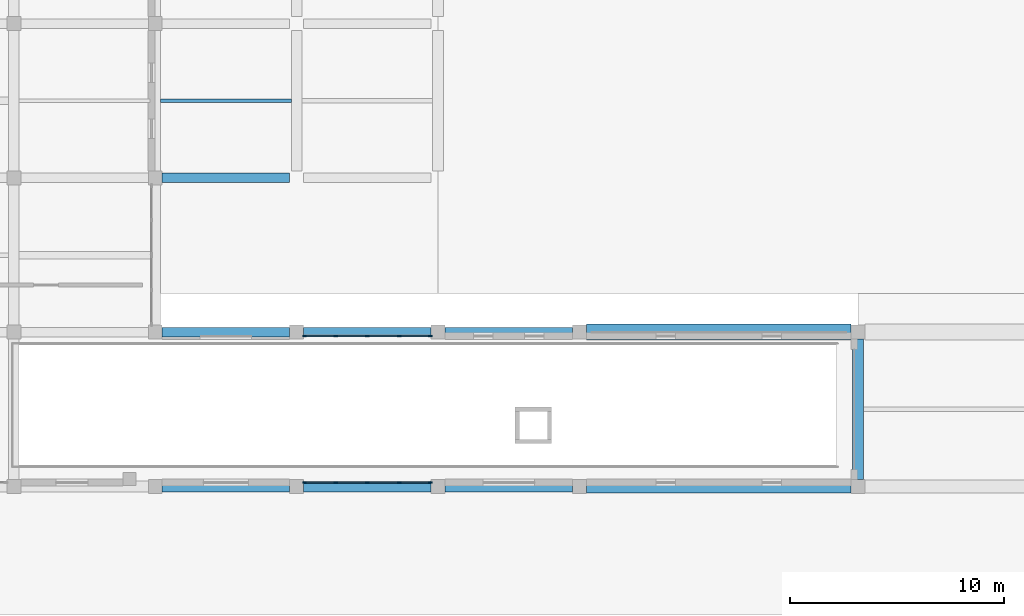
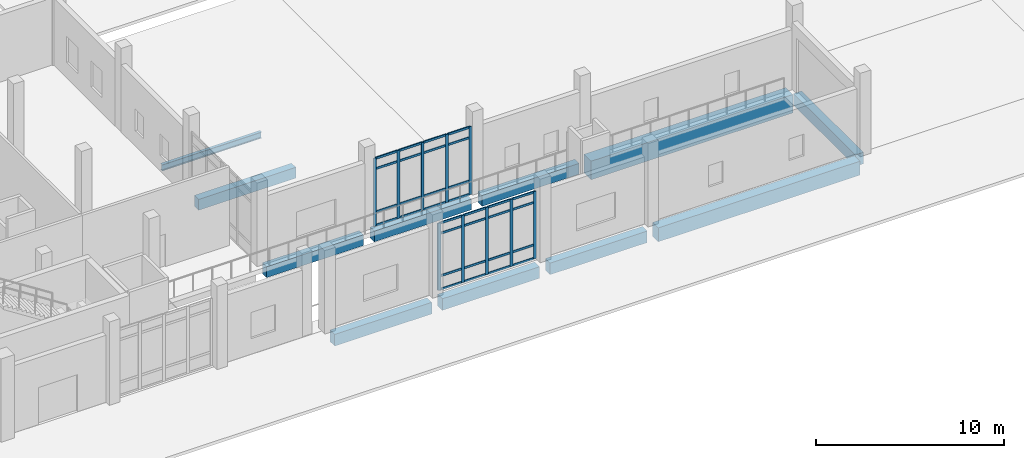
# One storey, part 35 of 79: 42 members, 11 beams, 2 elements without a shape of their own.
"""IFC4 building model written with IfcOpenShell, lengths in metres."""

from ifc_helpers import new_model, si_unit, direction, frame, origin, origin_2d, place, context, subcontext, project, spatial, rectangle, i_section, extrude, material, layer, layer_set, material_profile, profile_set, type_object, element, aggregate, save


model = new_model("IFC4")

# Units and contexts
model_context = context("Model", 3, precision=1e-05, world=origin(), true_north=direction((0.0, 1.0)))
body_context = subcontext(model_context, "Body", "Model", "MODEL_VIEW")
ifc_project = project(units=[si_unit("LENGTHUNIT", "METRE"), si_unit("AREAUNIT", "SQUARE_METRE"), si_unit("VOLUMEUNIT", "CUBIC_METRE"), si_unit("PLANEANGLEUNIT", "RADIAN"), si_unit("MASSUNIT", "GRAM", prefix="KILO")], contexts=[model_context])

# Site, building, storey
site_placement = place(None, origin())
site = spatial("IfcSite", under=ifc_project, at=site_placement, CompositionType="ELEMENT")
building_placement = place(site_placement, origin())
building = spatial("IfcBuilding", under=site, at=building_placement, Name="Kelarvand Opera House", CompositionType="ELEMENT")
storey_placement = place(building_placement, origin())
storey = spatial("IfcBuildingStorey", under=building, at=storey_placement, Name="L00", CompositionType="ELEMENT", Elevation=0.0)

# Curtain wall, members
ifc_material_1 = material(Name="Thermally broken aluminium and low-E glazing", Category="aluminium")
ifc_layer_1 = layer(ifc_material_1, 0.179931640625, Name="Thermally broken aluminium and low-E glazing", Category="aluminium")
ifc_layer_set_1 = layer_set([ifc_layer_1], Name="Thermally broken aluminium and low-E glazing")
curtain_wall_type_1 = type_object("IfcCurtainWallType", Name="Unitised Low-E Curtain Wall 5930x4350 Mod 1350 CWF-51", PredefinedType="USERDEFINED", material=ifc_layer_set_1)
curtain_wall_1_placement = place(storey_placement, origin())
curtain_wall_1 = element("IfcCurtainWall", 1, at=curtain_wall_1_placement, inside=storey, type_object=curtain_wall_type_1, Name="V6 L00 Curtain Wall CWF-51 (197)", ObjectType="UNITISED CURTAIN WALL", PredefinedType="USERDEFINED")
ifc_material_2 = material(Name="Thermally broken anodised aluminium", Category="aluminium")
ifc_material_profile_1 = material_profile(ifc_material_2, rectangle(XDim=0.06494140625, YDim=0.179931640625, at=origin_2d()), Name="ALU MULLION 65x180", Category="aluminium")
ifc_profile_set_1 = profile_set([ifc_material_profile_1], Name="Thermally broken anodised aluminium")
member_type_1 = type_object("IfcMemberType", Name="Curtain Wall Mullion 65x180 Aluminium", PredefinedType="MULLION", material=ifc_profile_set_1)
member_1_placement = place(storey_placement, frame((148.032470703125, 9.179931640625, 0.0), z_axis=(0.0, 0.0, 1.0), x_axis=(0.0, -1.0, 0.0)))
member_1 = element("IfcMember", 2, at=member_1_placement, type_object=member_type_1, Name="CWF-51 mullion 1", PredefinedType="MULLION", context=body_context, shape_type="SweptSolid", body=[
    extrude(rectangle(XDim=0.06494140625, YDim=0.179931640625, at=origin_2d()), origin(), (0.0, 0.0, 1.0), 4.35009765625),
])
member_2_placement = place(storey_placement, frame((146.58251953125, 9.179931640625, 0.0), z_axis=(0.0, 0.0, 1.0), x_axis=(0.0, -1.0, 0.0)))
member_2 = element("IfcMember", 3, at=member_2_placement, type_object=member_type_1, Name="CWF-51 mullion 2", PredefinedType="MULLION", context=body_context, shape_type="SweptSolid", body=[
    extrude(rectangle(XDim=0.06494140625, YDim=0.179931640625, at=origin_2d()), origin(), (0.0, 0.0, 1.0), 4.35009765625),
])
member_3_placement = place(storey_placement, frame((145.10009765625, 9.179931640625, 0.0), z_axis=(0.0, 0.0, 1.0), x_axis=(0.0, -1.0, 0.0)))
member_3 = element("IfcMember", 4, at=member_3_placement, type_object=member_type_1, Name="CWF-51 mullion 3", PredefinedType="MULLION", context=body_context, shape_type="SweptSolid", body=[
    extrude(rectangle(XDim=0.06494140625, YDim=0.179931640625, at=origin_2d()), origin(), (0.0, 0.0, 1.0), 4.35009765625),
])
member_4_placement = place(storey_placement, frame((143.617431640625, 9.179931640625, 0.0), z_axis=(0.0, 0.0, 1.0), x_axis=(0.0, -1.0, 0.0)))
member_4 = element("IfcMember", 5, at=member_4_placement, type_object=member_type_1, Name="CWF-51 mullion 4", PredefinedType="MULLION", context=body_context, shape_type="SweptSolid", body=[
    extrude(rectangle(XDim=0.06494140625, YDim=0.179931640625, at=origin_2d()), origin(), (0.0, 0.0, 1.0), 4.35009765625),
])
member_5_placement = place(storey_placement, frame((142.16748046875, 9.179931640625, 0.0), z_axis=(0.0, 0.0, 1.0), x_axis=(0.0, -1.0, 0.0)))
member_5 = element("IfcMember", 6, at=member_5_placement, type_object=member_type_1, Name="CWF-51 mullion 5", PredefinedType="MULLION", context=body_context, shape_type="SweptSolid", body=[
    extrude(rectangle(XDim=0.06494140625, YDim=0.179931640625, at=origin_2d()), origin(), (0.0, 0.0, 1.0), 4.35009765625),
])

ifc_layer_2 = layer(ifc_material_1, 0.179931640625, Name="Thermally broken aluminium and low-E glazing", Category="aluminium")
ifc_layer_set_2 = layer_set([ifc_layer_2], Name="Thermally broken aluminium and low-E glazing")
curtain_wall_type_2 = type_object("IfcCurtainWallType", Name="Unitised Low-E Curtain Wall 5930x4400 Mod 1350 CWF-54", PredefinedType="USERDEFINED", material=ifc_layer_set_2)
curtain_wall_2_placement = place(storey_placement, origin())
curtain_wall_2 = element("IfcCurtainWall", 7, at=curtain_wall_2_placement, inside=storey, type_object=curtain_wall_type_2, Name="V6 L00 Curtain Wall CWF-54 (204)", ObjectType="UNITISED CURTAIN WALL", PredefinedType="USERDEFINED")
member_6_placement = place(storey_placement, frame((142.16748046875, 16.02001953125, 0.0), z_axis=(0.0, 0.0, 1.0), x_axis=(0.0, 1.0, 0.0)))
member_6 = element("IfcMember", 8, at=member_6_placement, type_object=member_type_1, Name="CWF-54 mullion 1", PredefinedType="MULLION", context=body_context, shape_type="SweptSolid", body=[
    extrude(rectangle(XDim=0.06494140625, YDim=0.179931640625, at=origin_2d()), origin(), (0.0, 0.0, 1.0), 4.39990234375),
])
member_7_placement = place(storey_placement, frame((143.617431640625, 16.02001953125, 0.0), z_axis=(0.0, 0.0, 1.0), x_axis=(0.0, 1.0, 0.0)))
member_7 = element("IfcMember", 9, at=member_7_placement, type_object=member_type_1, Name="CWF-54 mullion 2", PredefinedType="MULLION", context=body_context, shape_type="SweptSolid", body=[
    extrude(rectangle(XDim=0.06494140625, YDim=0.179931640625, at=origin_2d()), origin(), (0.0, 0.0, 1.0), 4.39990234375),
])
member_8_placement = place(storey_placement, frame((145.10009765625, 16.02001953125, 0.0), z_axis=(0.0, 0.0, 1.0), x_axis=(0.0, 1.0, 0.0)))
member_8 = element("IfcMember", 10, at=member_8_placement, type_object=member_type_1, Name="CWF-54 mullion 3", PredefinedType="MULLION", context=body_context, shape_type="SweptSolid", body=[
    extrude(rectangle(XDim=0.06494140625, YDim=0.179931640625, at=origin_2d()), origin(), (0.0, 0.0, 1.0), 4.39990234375),
])
member_9_placement = place(storey_placement, frame((146.58251953125, 16.02001953125, 0.0), z_axis=(0.0, 0.0, 1.0), x_axis=(0.0, 1.0, 0.0)))
member_9 = element("IfcMember", 11, at=member_9_placement, type_object=member_type_1, Name="CWF-54 mullion 4", PredefinedType="MULLION", context=body_context, shape_type="SweptSolid", body=[
    extrude(rectangle(XDim=0.06494140625, YDim=0.179931640625, at=origin_2d()), origin(), (0.0, 0.0, 1.0), 4.39990234375),
])
member_10_placement = place(storey_placement, frame((148.032470703125, 16.02001953125, 0.0), z_axis=(0.0, 0.0, 1.0), x_axis=(0.0, 1.0, 0.0)))
member_10 = element("IfcMember", 12, at=member_10_placement, type_object=member_type_1, Name="CWF-54 mullion 5", PredefinedType="MULLION", context=body_context, shape_type="SweptSolid", body=[
    extrude(rectangle(XDim=0.06494140625, YDim=0.179931640625, at=origin_2d()), origin(), (0.0, 0.0, 1.0), 4.39990234375),
])

# Member
ifc_material_profile_2 = material_profile(ifc_material_2, rectangle(XDim=0.06494140625, YDim=0.139892578125, at=origin_2d()), Name="ALU TRANSOM 65x140", Category="aluminium")
ifc_profile_set_2 = profile_set([ifc_material_profile_2], Name="Thermally broken anodised aluminium")
member_type_2 = type_object("IfcMemberType", Name="Curtain Wall Transom 65x140 Aluminium", PredefinedType="USERDEFINED", material=ifc_profile_set_2)
member_11_placement = place(storey_placement, frame((148.0, 9.179931640625, 0.032470703125), z_axis=(-1.0, 0.0, 0.0), x_axis=(0.0, -1.0, 0.0)))
member_11 = element("IfcMember", 13, at=member_11_placement, type_object=member_type_2, Name="CWF-51 transom 1.1", ObjectType="TRANSOM", PredefinedType="USERDEFINED", context=body_context, shape_type="SweptSolid", body=[
    extrude(rectangle(XDim=0.06494140625, YDim=0.139892578125, at=origin_2d()), origin(), (0.0, 0.0, 1.0), 1.385009765625),
])

member_12_placement = place(storey_placement, frame((148.0, 9.179931640625, 0.89990234375), z_axis=(-1.0, 0.0, 0.0), x_axis=(0.0, -1.0, 0.0)))
member_12 = element("IfcMember", 14, at=member_12_placement, type_object=member_type_2, Name="CWF-51 transom 1.2", ObjectType="TRANSOM", PredefinedType="USERDEFINED", context=body_context, shape_type="SweptSolid", body=[
    extrude(rectangle(XDim=0.06494140625, YDim=0.139892578125, at=origin_2d()), origin(), (0.0, 0.0, 1.0), 1.385009765625),
])

member_13_placement = place(storey_placement, frame((148.0, 9.179931640625, 3.64990234375), z_axis=(-1.0, 0.0, 0.0), x_axis=(0.0, -1.0, 0.0)))
member_13 = element("IfcMember", 15, at=member_13_placement, type_object=member_type_2, Name="CWF-51 transom 1.3", ObjectType="TRANSOM", PredefinedType="USERDEFINED", context=body_context, shape_type="SweptSolid", body=[
    extrude(rectangle(XDim=0.06494140625, YDim=0.139892578125, at=origin_2d()), origin(), (0.0, 0.0, 1.0), 1.385009765625),
])

member_14_placement = place(storey_placement, frame((148.0, 9.179931640625, 4.3173828125), z_axis=(-1.0, 0.0, 0.0), x_axis=(0.0, -1.0, 0.0)))
member_14 = element("IfcMember", 16, at=member_14_placement, type_object=member_type_2, Name="CWF-51 transom 1.4", ObjectType="TRANSOM", PredefinedType="USERDEFINED", context=body_context, shape_type="SweptSolid", body=[
    extrude(rectangle(XDim=0.06494140625, YDim=0.139892578125, at=origin_2d()), origin(), (0.0, 0.0, 1.0), 1.385009765625),
])

member_15_placement = place(storey_placement, frame((146.550048828125, 9.179931640625, 0.032470703125), z_axis=(-1.0, 0.0, 0.0), x_axis=(0.0, -1.0, 0.0)))
member_15 = element("IfcMember", 17, at=member_15_placement, type_object=member_type_2, Name="CWF-51 transom 2.1", ObjectType="TRANSOM", PredefinedType="USERDEFINED", context=body_context, shape_type="SweptSolid", body=[
    extrude(rectangle(XDim=0.06494140625, YDim=0.139892578125, at=origin_2d()), origin(), (0.0, 0.0, 1.0), 1.41748046875),
])

member_16_placement = place(storey_placement, frame((146.550048828125, 9.179931640625, 0.89990234375), z_axis=(-1.0, 0.0, 0.0), x_axis=(0.0, -1.0, 0.0)))
member_16 = element("IfcMember", 18, at=member_16_placement, type_object=member_type_2, Name="CWF-51 transom 2.2", ObjectType="TRANSOM", PredefinedType="USERDEFINED", context=body_context, shape_type="SweptSolid", body=[
    extrude(rectangle(XDim=0.06494140625, YDim=0.139892578125, at=origin_2d()), origin(), (0.0, 0.0, 1.0), 1.41748046875),
])

member_17_placement = place(storey_placement, frame((146.550048828125, 9.179931640625, 3.64990234375), z_axis=(-1.0, 0.0, 0.0), x_axis=(0.0, -1.0, 0.0)))
member_17 = element("IfcMember", 19, at=member_17_placement, type_object=member_type_2, Name="CWF-51 transom 2.3", ObjectType="TRANSOM", PredefinedType="USERDEFINED", context=body_context, shape_type="SweptSolid", body=[
    extrude(rectangle(XDim=0.06494140625, YDim=0.139892578125, at=origin_2d()), origin(), (0.0, 0.0, 1.0), 1.41748046875),
])

member_18_placement = place(storey_placement, frame((146.550048828125, 9.179931640625, 4.3173828125), z_axis=(-1.0, 0.0, 0.0), x_axis=(0.0, -1.0, 0.0)))
member_18 = element("IfcMember", 20, at=member_18_placement, type_object=member_type_2, Name="CWF-51 transom 2.4", ObjectType="TRANSOM", PredefinedType="USERDEFINED", context=body_context, shape_type="SweptSolid", body=[
    extrude(rectangle(XDim=0.06494140625, YDim=0.139892578125, at=origin_2d()), origin(), (0.0, 0.0, 1.0), 1.41748046875),
])

member_19_placement = place(storey_placement, frame((145.0673828125, 9.179931640625, 0.032470703125), z_axis=(-1.0, 0.0, 0.0), x_axis=(0.0, -1.0, 0.0)))
member_19 = element("IfcMember", 21, at=member_19_placement, type_object=member_type_2, Name="CWF-51 transom 3.1", ObjectType="TRANSOM", PredefinedType="USERDEFINED", context=body_context, shape_type="SweptSolid", body=[
    extrude(rectangle(XDim=0.06494140625, YDim=0.139892578125, at=origin_2d()), origin(), (0.0, 0.0, 1.0), 1.41748046875),
])

member_20_placement = place(storey_placement, frame((145.0673828125, 9.179931640625, 0.89990234375), z_axis=(-1.0, 0.0, 0.0), x_axis=(0.0, -1.0, 0.0)))
member_20 = element("IfcMember", 22, at=member_20_placement, type_object=member_type_2, Name="CWF-51 transom 3.2", ObjectType="TRANSOM", PredefinedType="USERDEFINED", context=body_context, shape_type="SweptSolid", body=[
    extrude(rectangle(XDim=0.06494140625, YDim=0.139892578125, at=origin_2d()), origin(), (0.0, 0.0, 1.0), 1.41748046875),
])

member_21_placement = place(storey_placement, frame((145.0673828125, 9.179931640625, 3.64990234375), z_axis=(-1.0, 0.0, 0.0), x_axis=(0.0, -1.0, 0.0)))
member_21 = element("IfcMember", 23, at=member_21_placement, type_object=member_type_2, Name="CWF-51 transom 3.3", ObjectType="TRANSOM", PredefinedType="USERDEFINED", context=body_context, shape_type="SweptSolid", body=[
    extrude(rectangle(XDim=0.06494140625, YDim=0.139892578125, at=origin_2d()), origin(), (0.0, 0.0, 1.0), 1.41748046875),
])

member_22_placement = place(storey_placement, frame((145.0673828125, 9.179931640625, 4.3173828125), z_axis=(-1.0, 0.0, 0.0), x_axis=(0.0, -1.0, 0.0)))
member_22 = element("IfcMember", 24, at=member_22_placement, type_object=member_type_2, Name="CWF-51 transom 3.4", ObjectType="TRANSOM", PredefinedType="USERDEFINED", context=body_context, shape_type="SweptSolid", body=[
    extrude(rectangle(XDim=0.06494140625, YDim=0.139892578125, at=origin_2d()), origin(), (0.0, 0.0, 1.0), 1.41748046875),
])

member_23_placement = place(storey_placement, frame((143.5849609375, 9.179931640625, 0.032470703125), z_axis=(-1.0, 0.0, 0.0), x_axis=(0.0, -1.0, 0.0)))
member_23 = element("IfcMember", 25, at=member_23_placement, type_object=member_type_2, Name="CWF-51 transom 4.1", ObjectType="TRANSOM", PredefinedType="USERDEFINED", context=body_context, shape_type="SweptSolid", body=[
    extrude(rectangle(XDim=0.06494140625, YDim=0.139892578125, at=origin_2d()), origin(), (0.0, 0.0, 1.0), 1.385009765625),
])

member_24_placement = place(storey_placement, frame((143.5849609375, 9.179931640625, 0.89990234375), z_axis=(-1.0, 0.0, 0.0), x_axis=(0.0, -1.0, 0.0)))
member_24 = element("IfcMember", 26, at=member_24_placement, type_object=member_type_2, Name="CWF-51 transom 4.2", ObjectType="TRANSOM", PredefinedType="USERDEFINED", context=body_context, shape_type="SweptSolid", body=[
    extrude(rectangle(XDim=0.06494140625, YDim=0.139892578125, at=origin_2d()), origin(), (0.0, 0.0, 1.0), 1.385009765625),
])

member_25_placement = place(storey_placement, frame((143.5849609375, 9.179931640625, 3.64990234375), z_axis=(-1.0, 0.0, 0.0), x_axis=(0.0, -1.0, 0.0)))
member_25 = element("IfcMember", 27, at=member_25_placement, type_object=member_type_2, Name="CWF-51 transom 4.3", ObjectType="TRANSOM", PredefinedType="USERDEFINED", context=body_context, shape_type="SweptSolid", body=[
    extrude(rectangle(XDim=0.06494140625, YDim=0.139892578125, at=origin_2d()), origin(), (0.0, 0.0, 1.0), 1.385009765625),
])

member_26_placement = place(storey_placement, frame((143.5849609375, 9.179931640625, 4.3173828125), z_axis=(-1.0, 0.0, 0.0), x_axis=(0.0, -1.0, 0.0)))
member_26 = element("IfcMember", 28, at=member_26_placement, type_object=member_type_2, Name="CWF-51 transom 4.4", ObjectType="TRANSOM", PredefinedType="USERDEFINED", context=body_context, shape_type="SweptSolid", body=[
    extrude(rectangle(XDim=0.06494140625, YDim=0.139892578125, at=origin_2d()), origin(), (0.0, 0.0, 1.0), 1.385009765625),
])

aggregate(curtain_wall_1, [member_1, member_2, member_3, member_4, member_5, member_11, member_12, member_13, member_14, member_15, member_16, member_17, member_18, member_19, member_20, member_21, member_22, member_23, member_24, member_25, member_26])

member_27_placement = place(storey_placement, frame((142.199951171875, 16.02001953125, 0.032470703125), z_axis=(1.0, 0.0, 0.0), x_axis=(0.0, 1.0, 0.0)))
member_27 = element("IfcMember", 29, at=member_27_placement, type_object=member_type_2, Name="CWF-54 transom 1.1", ObjectType="TRANSOM", PredefinedType="USERDEFINED", context=body_context, shape_type="SweptSolid", body=[
    extrude(rectangle(XDim=0.06494140625, YDim=0.139892578125, at=origin_2d()), origin(), (0.0, 0.0, 1.0), 1.385009765625),
])

member_28_placement = place(storey_placement, frame((142.199951171875, 16.02001953125, 0.89990234375), z_axis=(1.0, 0.0, 0.0), x_axis=(0.0, 1.0, 0.0)))
member_28 = element("IfcMember", 30, at=member_28_placement, type_object=member_type_2, Name="CWF-54 transom 1.2", ObjectType="TRANSOM", PredefinedType="USERDEFINED", context=body_context, shape_type="SweptSolid", body=[
    extrude(rectangle(XDim=0.06494140625, YDim=0.139892578125, at=origin_2d()), origin(), (0.0, 0.0, 1.0), 1.385009765625),
])

member_29_placement = place(storey_placement, frame((142.199951171875, 16.02001953125, 3.699951171875), z_axis=(1.0, 0.0, 0.0), x_axis=(0.0, 1.0, 0.0)))
member_29 = element("IfcMember", 31, at=member_29_placement, type_object=member_type_2, Name="CWF-54 transom 1.3", ObjectType="TRANSOM", PredefinedType="USERDEFINED", context=body_context, shape_type="SweptSolid", body=[
    extrude(rectangle(XDim=0.06494140625, YDim=0.139892578125, at=origin_2d()), origin(), (0.0, 0.0, 1.0), 1.385009765625),
])

member_30_placement = place(storey_placement, frame((142.199951171875, 16.02001953125, 4.367431640625), z_axis=(1.0, 0.0, 0.0), x_axis=(0.0, 1.0, 0.0)))
member_30 = element("IfcMember", 32, at=member_30_placement, type_object=member_type_2, Name="CWF-54 transom 1.4", ObjectType="TRANSOM", PredefinedType="USERDEFINED", context=body_context, shape_type="SweptSolid", body=[
    extrude(rectangle(XDim=0.06494140625, YDim=0.139892578125, at=origin_2d()), origin(), (0.0, 0.0, 1.0), 1.385009765625),
])

member_31_placement = place(storey_placement, frame((143.64990234375, 16.02001953125, 0.032470703125), z_axis=(1.0, 0.0, 0.0), x_axis=(0.0, 1.0, 0.0)))
member_31 = element("IfcMember", 33, at=member_31_placement, type_object=member_type_2, Name="CWF-54 transom 2.1", ObjectType="TRANSOM", PredefinedType="USERDEFINED", context=body_context, shape_type="SweptSolid", body=[
    extrude(rectangle(XDim=0.06494140625, YDim=0.139892578125, at=origin_2d()), origin(), (0.0, 0.0, 1.0), 1.41748046875),
])

member_32_placement = place(storey_placement, frame((143.64990234375, 16.02001953125, 0.89990234375), z_axis=(1.0, 0.0, 0.0), x_axis=(0.0, 1.0, 0.0)))
member_32 = element("IfcMember", 34, at=member_32_placement, type_object=member_type_2, Name="CWF-54 transom 2.2", ObjectType="TRANSOM", PredefinedType="USERDEFINED", context=body_context, shape_type="SweptSolid", body=[
    extrude(rectangle(XDim=0.06494140625, YDim=0.139892578125, at=origin_2d()), origin(), (0.0, 0.0, 1.0), 1.41748046875),
])

member_33_placement = place(storey_placement, frame((143.64990234375, 16.02001953125, 3.699951171875), z_axis=(1.0, 0.0, 0.0), x_axis=(0.0, 1.0, 0.0)))
member_33 = element("IfcMember", 35, at=member_33_placement, type_object=member_type_2, Name="CWF-54 transom 2.3", ObjectType="TRANSOM", PredefinedType="USERDEFINED", context=body_context, shape_type="SweptSolid", body=[
    extrude(rectangle(XDim=0.06494140625, YDim=0.139892578125, at=origin_2d()), origin(), (0.0, 0.0, 1.0), 1.41748046875),
])

member_34_placement = place(storey_placement, frame((143.64990234375, 16.02001953125, 4.367431640625), z_axis=(1.0, 0.0, 0.0), x_axis=(0.0, 1.0, 0.0)))
member_34 = element("IfcMember", 36, at=member_34_placement, type_object=member_type_2, Name="CWF-54 transom 2.4", ObjectType="TRANSOM", PredefinedType="USERDEFINED", context=body_context, shape_type="SweptSolid", body=[
    extrude(rectangle(XDim=0.06494140625, YDim=0.139892578125, at=origin_2d()), origin(), (0.0, 0.0, 1.0), 1.41748046875),
])

member_35_placement = place(storey_placement, frame((145.132568359375, 16.02001953125, 0.032470703125), z_axis=(1.0, 0.0, 0.0), x_axis=(0.0, 1.0, 0.0)))
member_35 = element("IfcMember", 37, at=member_35_placement, type_object=member_type_2, Name="CWF-54 transom 3.1", ObjectType="TRANSOM", PredefinedType="USERDEFINED", context=body_context, shape_type="SweptSolid", body=[
    extrude(rectangle(XDim=0.06494140625, YDim=0.139892578125, at=origin_2d()), origin(), (0.0, 0.0, 1.0), 1.41748046875),
])

member_36_placement = place(storey_placement, frame((145.132568359375, 16.02001953125, 0.89990234375), z_axis=(1.0, 0.0, 0.0), x_axis=(0.0, 1.0, 0.0)))
member_36 = element("IfcMember", 38, at=member_36_placement, type_object=member_type_2, Name="CWF-54 transom 3.2", ObjectType="TRANSOM", PredefinedType="USERDEFINED", context=body_context, shape_type="SweptSolid", body=[
    extrude(rectangle(XDim=0.06494140625, YDim=0.139892578125, at=origin_2d()), origin(), (0.0, 0.0, 1.0), 1.41748046875),
])

member_37_placement = place(storey_placement, frame((145.132568359375, 16.02001953125, 3.699951171875), z_axis=(1.0, 0.0, 0.0), x_axis=(0.0, 1.0, 0.0)))
member_37 = element("IfcMember", 39, at=member_37_placement, type_object=member_type_2, Name="CWF-54 transom 3.3", ObjectType="TRANSOM", PredefinedType="USERDEFINED", context=body_context, shape_type="SweptSolid", body=[
    extrude(rectangle(XDim=0.06494140625, YDim=0.139892578125, at=origin_2d()), origin(), (0.0, 0.0, 1.0), 1.41748046875),
])

member_38_placement = place(storey_placement, frame((145.132568359375, 16.02001953125, 4.367431640625), z_axis=(1.0, 0.0, 0.0), x_axis=(0.0, 1.0, 0.0)))
member_38 = element("IfcMember", 40, at=member_38_placement, type_object=member_type_2, Name="CWF-54 transom 3.4", ObjectType="TRANSOM", PredefinedType="USERDEFINED", context=body_context, shape_type="SweptSolid", body=[
    extrude(rectangle(XDim=0.06494140625, YDim=0.139892578125, at=origin_2d()), origin(), (0.0, 0.0, 1.0), 1.41748046875),
])

member_39_placement = place(storey_placement, frame((146.614990234375, 16.02001953125, 0.032470703125), z_axis=(1.0, 0.0, 0.0), x_axis=(0.0, 1.0, 0.0)))
member_39 = element("IfcMember", 41, at=member_39_placement, type_object=member_type_2, Name="CWF-54 transom 4.1", ObjectType="TRANSOM", PredefinedType="USERDEFINED", context=body_context, shape_type="SweptSolid", body=[
    extrude(rectangle(XDim=0.06494140625, YDim=0.139892578125, at=origin_2d()), origin(), (0.0, 0.0, 1.0), 1.385009765625),
])

member_40_placement = place(storey_placement, frame((146.614990234375, 16.02001953125, 0.89990234375), z_axis=(1.0, 0.0, 0.0), x_axis=(0.0, 1.0, 0.0)))
member_40 = element("IfcMember", 42, at=member_40_placement, type_object=member_type_2, Name="CWF-54 transom 4.2", ObjectType="TRANSOM", PredefinedType="USERDEFINED", context=body_context, shape_type="SweptSolid", body=[
    extrude(rectangle(XDim=0.06494140625, YDim=0.139892578125, at=origin_2d()), origin(), (0.0, 0.0, 1.0), 1.385009765625),
])

member_41_placement = place(storey_placement, frame((146.614990234375, 16.02001953125, 3.699951171875), z_axis=(1.0, 0.0, 0.0), x_axis=(0.0, 1.0, 0.0)))
member_41 = element("IfcMember", 43, at=member_41_placement, type_object=member_type_2, Name="CWF-54 transom 4.3", ObjectType="TRANSOM", PredefinedType="USERDEFINED", context=body_context, shape_type="SweptSolid", body=[
    extrude(rectangle(XDim=0.06494140625, YDim=0.139892578125, at=origin_2d()), origin(), (0.0, 0.0, 1.0), 1.385009765625),
])

member_42_placement = place(storey_placement, frame((146.614990234375, 16.02001953125, 4.367431640625), z_axis=(1.0, 0.0, 0.0), x_axis=(0.0, 1.0, 0.0)))
member_42 = element("IfcMember", 44, at=member_42_placement, type_object=member_type_2, Name="CWF-54 transom 4.4", ObjectType="TRANSOM", PredefinedType="USERDEFINED", context=body_context, shape_type="SweptSolid", body=[
    extrude(rectangle(XDim=0.06494140625, YDim=0.139892578125, at=origin_2d()), origin(), (0.0, 0.0, 1.0), 1.385009765625),
])

aggregate(curtain_wall_2, [member_6, member_7, member_8, member_9, member_10, member_27, member_28, member_29, member_30, member_31, member_32, member_33, member_34, member_35, member_36, member_37, member_38, member_39, member_40, member_41, member_42])

# Beams
ifc_material_3 = material(Name="Concrete C40/50", Category="concrete")
ifc_material_profile_3 = material_profile(ifc_material_3, rectangle(XDim=0.449951171875, YDim=0.699951171875, at=origin_2d()), Name="RC 450x700", Category="concrete")
ifc_profile_set_3 = profile_set([ifc_material_profile_3], Name="Concrete C40/50")
beam_type_1 = type_object("IfcBeamType", Name="Structural Beam RC 450x700 BM-RC450x700", PredefinedType="BEAM", material=ifc_profile_set_3)
beam_1_placement = place(storey_placement, frame((135.52490234375, 16.199951171875, -0.64990234375), z_axis=(1.0, 0.0, 0.0), x_axis=(0.0, 1.0, 0.0)))
element("IfcBeam", 45, at=beam_1_placement, inside=storey, type_object=beam_type_1, Name="V6 L00 Beam BM-RC450x700", PredefinedType="BEAM", context=body_context, shape_type="SweptSolid", body=[
    extrude(rectangle(XDim=0.449951171875, YDim=0.699951171875, at=origin_2d()), origin(), (0.0, 0.0, 1.0), 5.9501953125),
])
for number, where, z_axis, x_axis, name in (
    (46, (142.125, 16.199951171875, -0.64990234375), (1.0, 0.0, 0.0), (0.0, 1.0, 0.0), "V6 L00 Beam BM-RC450x700"),
    (47, (148.72509765625, 16.199951171875, -0.64990234375), (1.0, 0.0, 0.0), (0.0, 1.0, 0.0), "V6 L00 Beam BM-RC450x700"),
):
    element("IfcBeam", number, at=place(storey_placement, frame(where, z_axis=z_axis, x_axis=x_axis)), inside=storey, type_object=beam_type_1, Name=name, PredefinedType="BEAM", context=body_context, shape_type="SweptSolid", body=[
        extrude(rectangle(XDim=0.449951171875, YDim=0.699951171875, at=origin_2d()), origin(), (0.0, 0.0, 1.0), 5.949951171875),
    ])
beam_2_placement = place(storey_placement, frame((135.52490234375, 23.39990234375, -0.64990234375), z_axis=(1.0, 0.0, 0.0), x_axis=(0.0, 1.0, 0.0)))
element("IfcBeam", 48, at=beam_2_placement, inside=storey, type_object=beam_type_1, Name="V6 L00 Beam BM-RC450x700", PredefinedType="BEAM", context=body_context, shape_type="SweptSolid", body=[
    extrude(rectangle(XDim=0.449951171875, YDim=0.699951171875, at=origin_2d()), origin(), (0.0, 0.0, 1.0), 5.9501953125),
])
ifc_material_profile_4 = material_profile(ifc_material_3, rectangle(XDim=0.5, YDim=0.75, at=origin_2d()), Name="RC 500x750", Category="concrete")
ifc_profile_set_4 = profile_set([ifc_material_profile_4], Name="Concrete C40/50")
beam_type_2 = type_object("IfcBeamType", Name="Structural Beam RC 500x750 BM-RC500x750", PredefinedType="BEAM", material=ifc_profile_set_4)
beam_3_placement = place(storey_placement, frame((168.0, 9.324951171875, -0.675048828125), z_axis=(0.0, 1.0, 0.0), x_axis=(-1.0, 0.0, 0.0)))
element("IfcBeam", 49, at=beam_3_placement, inside=storey, type_object=beam_type_2, Name="V6 L00 Beam BM-RC500x750", PredefinedType="BEAM", context=body_context, shape_type="SweptSolid", body=[
    extrude(rectangle(XDim=0.5, YDim=0.75, at=origin_2d()), origin(), (0.0, 0.0, 1.0), 6.550048828125),
])
ifc_material_profile_5 = material_profile(ifc_material_3, rectangle(XDim=0.75, YDim=1.199951171875, at=origin_2d()), Name="RC 750x1200", Category="concrete")
ifc_profile_set_5 = profile_set([ifc_material_profile_5], Name="Concrete C40/50")
beam_type_3 = type_object("IfcBeamType", Name="Structural Beam RC 750x1200 BM-RC750x1200", PredefinedType="BEAM", material=ifc_profile_set_5)
beam_4_placement = place(storey_placement, frame((155.324951171875, 16.199951171875, -0.89990234375), z_axis=(1.0, 0.0, 0.0), x_axis=(0.0, 1.0, 0.0)))
element("IfcBeam", 50, at=beam_4_placement, inside=storey, type_object=beam_type_3, Name="V6 L00 Beam BM-RC750x1200", PredefinedType="BEAM", context=body_context, shape_type="SweptSolid", body=[
    extrude(rectangle(XDim=0.75, YDim=1.199951171875, at=origin_2d()), origin(), (0.0, 0.0, 1.0), 12.35009765625),
])
ifc_material_4 = material(Name="Steel S355", Category="steel")
ifc_material_profile_6 = material_profile(ifc_material_4, i_section(OverallWidth=0.179931640625, OverallDepth=0.39990234375, WebThickness=0.008544921875, FlangeThickness=0.013427734375, at=origin_2d()), Name="IPE 400", Category="steel")
ifc_profile_set_6 = profile_set([ifc_material_profile_6], Name="Steel S355")
beam_type_4 = type_object("IfcBeamType", Name="Structural Joist IPE 400 JS-IPE400", PredefinedType="JOIST", material=ifc_profile_set_6)
beam_5_placement = place(storey_placement, frame((135.449951171875, 27.0, -0.5), z_axis=(1.0, 0.0, 0.0), x_axis=(0.0, 1.0, 0.0)))
element("IfcBeam", 51, at=beam_5_placement, inside=storey, type_object=beam_type_4, Name="V6 L00 Beam JS-IPE400", PredefinedType="JOIST", context=body_context, shape_type="SweptSolid", body=[
    extrude(i_section(OverallWidth=0.179931640625, OverallDepth=0.39990234375, WebThickness=0.008544921875, FlangeThickness=0.013427734375, at=origin_2d()), origin(), (0.0, 0.0, 1.0), 6.10009765625),
])
ifc_material_profile_7 = material_profile(ifc_material_3, rectangle(XDim=0.5, YDim=0.75, at=origin_2d()), Name="RC 500x750", Category="concrete")
ifc_profile_set_7 = profile_set([ifc_material_profile_7], Name="Concrete C40/50")
beam_type_5 = type_object("IfcBeamType", Name="Structural Spandrel RC 500x750 SP-RC500x750E", PredefinedType="SPANDREL", material=ifc_profile_set_7)
beam_6_placement = place(storey_placement, frame((135.52490234375, 9.0, -0.675048828125), z_axis=(1.0, 0.0, 0.0), x_axis=(0.0, 1.0, 0.0)))
element("IfcBeam", 52, at=beam_6_placement, inside=storey, type_object=beam_type_5, Name="V6 L00 Beam SP-RC500x750E", PredefinedType="SPANDREL", context=body_context, shape_type="SweptSolid", body=[
    extrude(rectangle(XDim=0.5, YDim=0.75, at=origin_2d()), origin(), (0.0, 0.0, 1.0), 5.9501953125),
])
for number, where, z_axis, x_axis, name in (
    (53, (142.125, 9.0, -0.675048828125), (1.0, 0.0, 0.0), (0.0, 1.0, 0.0), "V6 L00 Beam SP-RC500x750E"),
    (54, (148.72509765625, 9.0, -0.675048828125), (1.0, 0.0, 0.0), (0.0, 1.0, 0.0), "V6 L00 Beam SP-RC500x750E"),
):
    element("IfcBeam", number, at=place(storey_placement, frame(where, z_axis=z_axis, x_axis=x_axis)), inside=storey, type_object=beam_type_5, Name=name, PredefinedType="SPANDREL", context=body_context, shape_type="SweptSolid", body=[
        extrude(rectangle(XDim=0.5, YDim=0.75, at=origin_2d()), origin(), (0.0, 0.0, 1.0), 5.949951171875),
    ])
ifc_material_profile_8 = material_profile(ifc_material_3, rectangle(XDim=0.60009765625, YDim=0.89990234375, at=origin_2d()), Name="RC 600x900", Category="concrete")
ifc_profile_set_8 = profile_set([ifc_material_profile_8], Name="Concrete C40/50")
beam_type_6 = type_object("IfcBeamType", Name="Structural Spandrel RC 600x900 SP-RC600x900E", PredefinedType="SPANDREL", material=ifc_profile_set_8)
beam_7_placement = place(storey_placement, frame((155.324951171875, 9.0, -0.75), z_axis=(1.0, 0.0, 0.0), x_axis=(0.0, 1.0, 0.0)))
element("IfcBeam", 55, at=beam_7_placement, inside=storey, type_object=beam_type_6, Name="V6 L00 Beam SP-RC600x900E", PredefinedType="SPANDREL", context=body_context, shape_type="SweptSolid", body=[
    extrude(rectangle(XDim=0.60009765625, YDim=0.89990234375, at=origin_2d()), origin(), (0.0, 0.0, 1.0), 12.35009765625),
])

save(model, "model.ifc")
